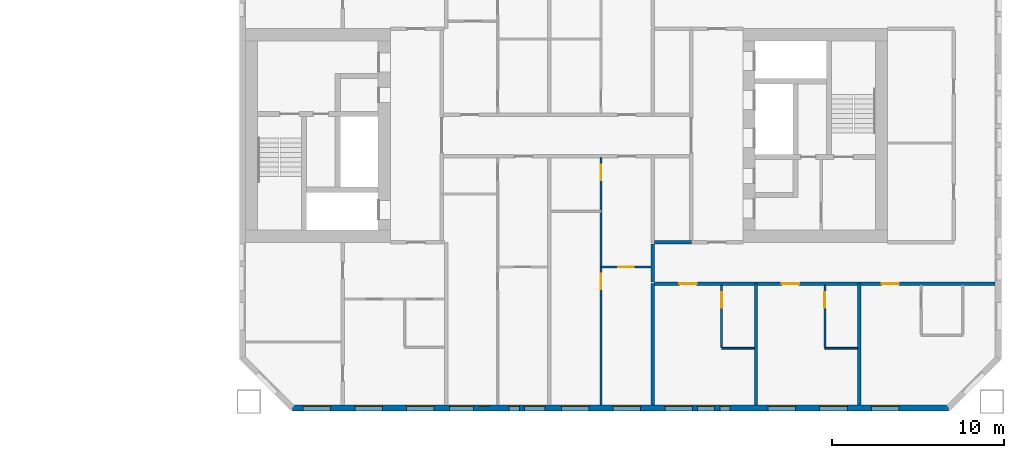
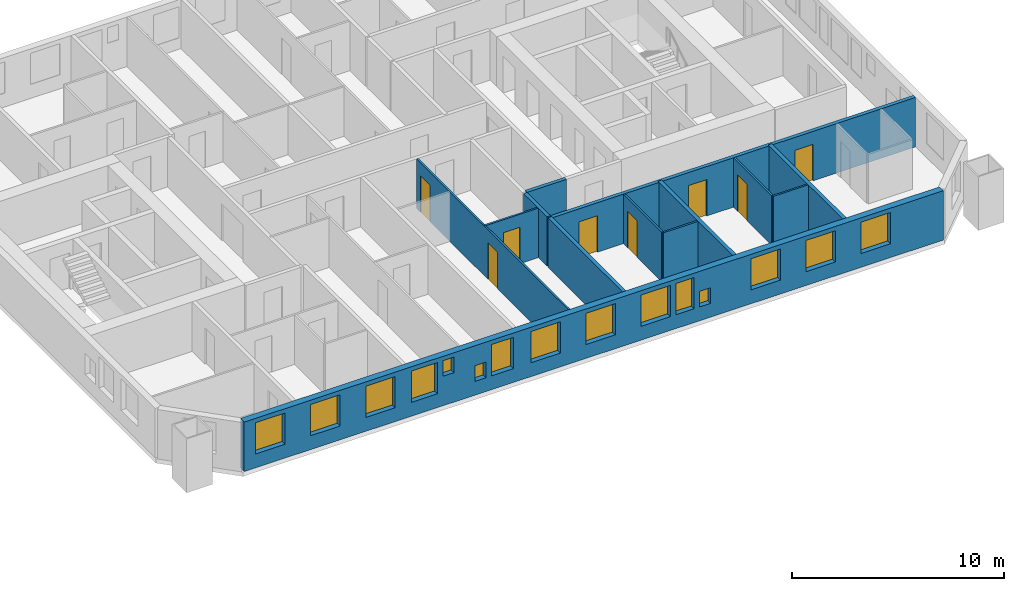
# One storey, part 11 of 17: 15 windows, 13 walls, 8 doors, 23 openings.
"""IFC4 building model written with IfcOpenShell, lengths in metres."""

from ifc_helpers import new_model, si_unit, direction, frame, frame_2d, origin, place, context, subcontext, project, spatial, rectangle, extrude, material, layer, layer_set, type_object, element, fill, save


model = new_model("IFC4")

# Units and contexts
model_context = context("Model", 3, precision=1e-05, world=origin(), true_north=direction((0.0, 1.0)))
body_context = subcontext(model_context, "Body", "Model", "MODEL_VIEW")
ifc_project = project(units=[si_unit("LENGTHUNIT", "METRE"), si_unit("AREAUNIT", "SQUARE_METRE"), si_unit("VOLUMEUNIT", "CUBIC_METRE"), si_unit("PLANEANGLEUNIT", "RADIAN"), si_unit("MASSUNIT", "GRAM", prefix="KILO")], contexts=[model_context])

# Site, building, storey
site_placement = place(None, origin())
site = spatial("IfcSite", under=ifc_project, at=site_placement, CompositionType="ELEMENT")
building_placement = place(site_placement, origin())
building = spatial("IfcBuilding", under=site, at=building_placement, Name="Tuart Gate Housing", CompositionType="ELEMENT")
storey_placement = place(building_placement, frame((0.0, 0.0, 80.89990234375)))
storey = spatial("IfcBuildingStorey", under=building, at=storey_placement, Name="L22", CompositionType="ELEMENT", Elevation=80.89990234375)

# Wall, openings, windows
ifc_material_1 = material(Name="Brick", Category="masonry")
ifc_layer_1 = layer(ifc_material_1, 0.360107421875)
ifc_layer_set_1 = layer_set([ifc_layer_1], Name="Brick pier and spandrel wall 360")
wall_type_1 = type_object("IfcWallType", Name="Brick pier and spandrel wall 360", PredefinedType="STANDARD", material=ifc_layer_set_1)
wall_1_placement = place(storey_placement, frame((134.07470703125, 54.179931640625, 0.0), z_axis=(0.0, 0.0, 1.0), x_axis=(1.0, 0.0, 0.0)))
wall_1 = element("IfcWall", 1, at=wall_1_placement, inside=storey, type_object=wall_type_1, Name="External wall B-S L22", PredefinedType="STANDARD", context=body_context, shape_type="SweptSolid", body=[
    extrude(rectangle(XDim=38.100830078125, YDim=0.360107421875, at=frame_2d((19.05029296875, 0.0))), origin(), (0.0, 0.0, 1.0), 2.85009765625),
])
opening_1_placement = place(wall_1_placement, frame((0.62548828125, 0.0, 0.800048828125)))
opening_1 = element("IfcOpeningElement", 2, at=opening_1_placement, cuts=wall_1, Name="Opening W1", PredefinedType="OPENING", context=body_context, shape_type="SweptSolid", body=[
    extrude(rectangle(XDim=1.60009765625, YDim=1.800048828125, at=frame_2d((0.800048828125, 0.89990234375))), frame((0.0, 0.18994140625, 0.0), z_axis=(0.0, -1.0, 0.0), x_axis=(1.0, 0.0, 0.0)), (0.0, 0.0, 1.0), 0.380126953125),
])
opening_2_placement = place(wall_1_placement, frame((3.62548828125, 0.0, 0.800048828125)))
opening_2 = element("IfcOpeningElement", 3, at=opening_2_placement, cuts=wall_1, Name="Opening W1", PredefinedType="OPENING", context=body_context, shape_type="SweptSolid", body=[
    extrude(rectangle(XDim=1.60009765625, YDim=1.800048828125, at=frame_2d((0.800048828125, 0.89990234375))), frame((0.0, 0.18994140625, 0.0), z_axis=(0.0, -1.0, 0.0), x_axis=(1.0, 0.0, 0.0)), (0.0, 0.0, 1.0), 0.380126953125),
])
opening_3_placement = place(wall_1_placement, frame((6.62548828125, 0.0, 0.800048828125)))
opening_3 = element("IfcOpeningElement", 4, at=opening_3_placement, cuts=wall_1, Name="Opening W1", PredefinedType="OPENING", context=body_context, shape_type="SweptSolid", body=[
    extrude(rectangle(XDim=1.60009765625, YDim=1.800048828125, at=frame_2d((0.800048828125, 0.89990234375))), frame((0.0, 0.18994140625, 0.0), z_axis=(0.0, -1.0, 0.0), x_axis=(1.0, 0.0, 0.0)), (0.0, 0.0, 1.0), 0.380126953125),
])
opening_4_placement = place(wall_1_placement, frame((9.12548828125, 0.0, 0.800048828125)))
opening_4 = element("IfcOpeningElement", 5, at=opening_4_placement, cuts=wall_1, Name="Opening W1A", PredefinedType="OPENING", context=body_context, shape_type="SweptSolid", body=[
    extrude(rectangle(XDim=1.39990234375, YDim=1.800048828125, at=frame_2d((0.699951171875, 0.89990234375))), frame((0.0, 0.18994140625, 0.0), z_axis=(0.0, -1.0, 0.0), x_axis=(1.0, 0.0, 0.0)), (0.0, 0.0, 1.0), 0.380126953125),
])
opening_5_placement = place(wall_1_placement, frame((12.575439453125, 0.0, 0.800048828125)))
opening_5 = element("IfcOpeningElement", 6, at=opening_5_placement, cuts=wall_1, Name="Opening W1W", PredefinedType="OPENING", context=body_context, shape_type="SweptSolid", body=[
    extrude(rectangle(XDim=0.60009765625, YDim=0.89990234375, at=frame_2d((0.300048828125, 0.449951171875))), frame((0.0, 0.18994140625, 0.0), z_axis=(0.0, -1.0, 0.0), x_axis=(1.0, 0.0, 0.0)), (0.0, 0.0, 1.0), 0.380126953125),
])
opening_6_placement = place(wall_1_placement, frame((15.62548828125, 0.0, 0.800048828125)))
opening_6 = element("IfcOpeningElement", 7, at=opening_6_placement, cuts=wall_1, Name="Opening W1", PredefinedType="OPENING", context=body_context, shape_type="SweptSolid", body=[
    extrude(rectangle(XDim=1.60009765625, YDim=1.800048828125, at=frame_2d((0.800048828125, 0.89990234375))), frame((0.0, 0.18994140625, 0.0), z_axis=(0.0, -1.0, 0.0), x_axis=(1.0, 0.0, 0.0)), (0.0, 0.0, 1.0), 0.380126953125),
])
opening_7_placement = place(wall_1_placement, frame((18.62548828125, 0.0, 0.800048828125)))
opening_7 = element("IfcOpeningElement", 8, at=opening_7_placement, cuts=wall_1, Name="Opening W1", PredefinedType="OPENING", context=body_context, shape_type="SweptSolid", body=[
    extrude(rectangle(XDim=1.60009765625, YDim=1.800048828125, at=frame_2d((0.800048828125, 0.89990234375))), frame((0.0, 0.18994140625, 0.0), z_axis=(0.0, -1.0, 0.0), x_axis=(1.0, 0.0, 0.0)), (0.0, 0.0, 1.0), 0.380126953125),
])
opening_8_placement = place(wall_1_placement, frame((21.62548828125, 0.0, 0.800048828125)))
opening_8 = element("IfcOpeningElement", 9, at=opening_8_placement, cuts=wall_1, Name="Opening W1", PredefinedType="OPENING", context=body_context, shape_type="SweptSolid", body=[
    extrude(rectangle(XDim=1.60009765625, YDim=1.800048828125, at=frame_2d((0.800048828125, 0.89990234375))), frame((0.0, 0.18994140625, 0.0), z_axis=(0.0, -1.0, 0.0), x_axis=(1.0, 0.0, 0.0)), (0.0, 0.0, 1.0), 0.380126953125),
])
opening_9_placement = place(wall_1_placement, frame((23.525390625, 0.0, 0.800048828125)))
opening_9 = element("IfcOpeningElement", 10, at=opening_9_placement, cuts=wall_1, Name="Opening W1C", PredefinedType="OPENING", context=body_context, shape_type="SweptSolid", body=[
    extrude(rectangle(XDim=1.0, YDim=1.800048828125, at=frame_2d((0.5, 0.89990234375))), frame((0.0, 0.18994140625, 0.0), z_axis=(0.0, -1.0, 0.0), x_axis=(1.0, 0.0, 0.0)), (0.0, 0.0, 1.0), 0.380126953125),
])
opening_10_placement = place(wall_1_placement, frame((27.62548828125, 0.0, 0.800048828125)))
opening_10 = element("IfcOpeningElement", 11, at=opening_10_placement, cuts=wall_1, Name="Opening W1", PredefinedType="OPENING", context=body_context, shape_type="SweptSolid", body=[
    extrude(rectangle(XDim=1.60009765625, YDim=1.800048828125, at=frame_2d((0.800048828125, 0.89990234375))), frame((0.0, 0.18994140625, 0.0), z_axis=(0.0, -1.0, 0.0), x_axis=(1.0, 0.0, 0.0)), (0.0, 0.0, 1.0), 0.380126953125),
])
opening_11_placement = place(wall_1_placement, frame((30.62548828125, 0.0, 0.800048828125)))
opening_11 = element("IfcOpeningElement", 12, at=opening_11_placement, cuts=wall_1, Name="Opening W1", PredefinedType="OPENING", context=body_context, shape_type="SweptSolid", body=[
    extrude(rectangle(XDim=1.60009765625, YDim=1.800048828125, at=frame_2d((0.800048828125, 0.89990234375))), frame((0.0, 0.18994140625, 0.0), z_axis=(0.0, -1.0, 0.0), x_axis=(1.0, 0.0, 0.0)), (0.0, 0.0, 1.0), 0.380126953125),
])
opening_12_placement = place(wall_1_placement, frame((33.62548828125, 0.0, 0.800048828125)))
opening_12 = element("IfcOpeningElement", 13, at=opening_12_placement, cuts=wall_1, Name="Opening W1", PredefinedType="OPENING", context=body_context, shape_type="SweptSolid", body=[
    extrude(rectangle(XDim=1.60009765625, YDim=1.800048828125, at=frame_2d((0.800048828125, 0.89990234375))), frame((0.0, 0.18994140625, 0.0), z_axis=(0.0, -1.0, 0.0), x_axis=(1.0, 0.0, 0.0)), (0.0, 0.0, 1.0), 0.380126953125),
])
opening_13_placement = place(wall_1_placement, frame((10.825439453125, 0.0, 1.699951171875)))
opening_13 = element("IfcOpeningElement", 14, at=opening_13_placement, cuts=wall_1, Name="Opening W1W", PredefinedType="OPENING", context=body_context, shape_type="SweptSolid", body=[
    extrude(rectangle(XDim=0.60009765625, YDim=0.89990234375, at=frame_2d((0.300048828125, 0.449951171875))), frame((0.0, 0.18994140625, 0.0), z_axis=(0.0, -1.0, 0.0), x_axis=(1.0, 0.0, 0.0)), (0.0, 0.0, 1.0), 0.380126953125),
])
opening_14_placement = place(wall_1_placement, frame((13.475341796875, 0.0, 0.800048828125)))
opening_14 = element("IfcOpeningElement", 15, at=opening_14_placement, cuts=wall_1, Name="Opening W1B", PredefinedType="OPENING", context=body_context, shape_type="SweptSolid", body=[
    extrude(rectangle(XDim=1.199951171875, YDim=1.800048828125, at=frame_2d((0.60009765625, 0.89990234375))), frame((0.0, 0.18994140625, 0.0), z_axis=(0.0, -1.0, 0.0), x_axis=(1.0, 0.0, 0.0)), (0.0, 0.0, 1.0), 0.380126953125),
])
opening_15_placement = place(wall_1_placement, frame((24.825439453125, 0.0, 0.800048828125)))
opening_15 = element("IfcOpeningElement", 16, at=opening_15_placement, cuts=wall_1, Name="Opening W1W", PredefinedType="OPENING", context=body_context, shape_type="SweptSolid", body=[
    extrude(rectangle(XDim=0.60009765625, YDim=0.89990234375, at=frame_2d((0.300048828125, 0.449951171875))), frame((0.0, 0.18994140625, 0.0), z_axis=(0.0, -1.0, 0.0), x_axis=(1.0, 0.0, 0.0)), (0.0, 0.0, 1.0), 0.380126953125),
])
ifc_material_2 = material(Name="Aluminium frame with clear glass", Category="aluminium")
window_type_1 = type_object("IfcWindowType", Name="Punched window 1000 x 1800", PartitioningType="SINGLE_PANEL", PredefinedType="WINDOW", material=ifc_material_2)
window_1_placement = place(opening_9_placement, origin())
window_1 = element("IfcWindow", 17, at=window_1_placement, inside=storey, type_object=window_type_1, Name="Window W1C", OverallHeight=1.800048828125, OverallWidth=1.0, PartitioningType="SINGLE_PANEL", PredefinedType="WINDOW", context=body_context, shape_type="SweptSolid", body=[
    extrude(rectangle(XDim=1.0, YDim=1.800048828125, at=frame_2d((0.5, 0.89990234375))), frame((0.0, 0.150146484375, 0.0), z_axis=(0.0, -1.0, 0.0), x_axis=(1.0, 0.0, 0.0)), (0.0, 0.0, 1.0), 0.06005859375),
])
fill(opening_9, window_1)
ifc_material_3 = material(Name="Aluminium frame with clear glass", Category="aluminium")
window_type_2 = type_object("IfcWindowType", Name="Punched window 1200 x 1800", PartitioningType="SINGLE_PANEL", PredefinedType="WINDOW", material=ifc_material_3)
window_2_placement = place(opening_14_placement, origin())
window_2 = element("IfcWindow", 18, at=window_2_placement, inside=storey, type_object=window_type_2, Name="Window W1B", OverallHeight=1.800048828125, OverallWidth=1.199951171875, PartitioningType="SINGLE_PANEL", PredefinedType="WINDOW", context=body_context, shape_type="SweptSolid", body=[
    extrude(rectangle(XDim=1.199951171875, YDim=1.800048828125, at=frame_2d((0.60009765625, 0.89990234375))), frame((0.0, 0.150146484375, 0.0), z_axis=(0.0, -1.0, 0.0), x_axis=(1.0, 0.0, 0.0)), (0.0, 0.0, 1.0), 0.06005859375),
])
fill(opening_14, window_2)
ifc_material_4 = material(Name="Aluminium frame with clear glass", Category="aluminium")
window_type_3 = type_object("IfcWindowType", Name="Punched window 1400 x 1800", PartitioningType="SINGLE_PANEL", PredefinedType="WINDOW", material=ifc_material_4)
window_3_placement = place(opening_4_placement, origin())
window_3 = element("IfcWindow", 19, at=window_3_placement, inside=storey, type_object=window_type_3, Name="Window W1A", OverallHeight=1.800048828125, OverallWidth=1.39990234375, PartitioningType="SINGLE_PANEL", PredefinedType="WINDOW", context=body_context, shape_type="SweptSolid", body=[
    extrude(rectangle(XDim=1.39990234375, YDim=1.800048828125, at=frame_2d((0.699951171875, 0.89990234375))), frame((0.0, 0.150146484375, 0.0), z_axis=(0.0, -1.0, 0.0), x_axis=(1.0, 0.0, 0.0)), (0.0, 0.0, 1.0), 0.06005859375),
])
fill(opening_4, window_3)
ifc_material_5 = material(Name="Aluminium frame with clear glass", Category="aluminium")
window_type_4 = type_object("IfcWindowType", Name="Punched window 1600 x 1800", PartitioningType="SINGLE_PANEL", PredefinedType="WINDOW", material=ifc_material_5)
window_4_placement = place(opening_1_placement, origin())
window_4 = element("IfcWindow", 20, at=window_4_placement, inside=storey, type_object=window_type_4, Name="Window W1", OverallHeight=1.800048828125, OverallWidth=1.60009765625, PartitioningType="SINGLE_PANEL", PredefinedType="WINDOW", context=body_context, shape_type="SweptSolid", body=[
    extrude(rectangle(XDim=1.60009765625, YDim=1.800048828125, at=frame_2d((0.800048828125, 0.89990234375))), frame((0.0, 0.150146484375, 0.0), z_axis=(0.0, -1.0, 0.0), x_axis=(1.0, 0.0, 0.0)), (0.0, 0.0, 1.0), 0.06005859375),
])
fill(opening_1, window_4)
window_5_placement = place(opening_2_placement, origin())
window_5 = element("IfcWindow", 21, at=window_5_placement, inside=storey, type_object=window_type_4, Name="Window W1", OverallHeight=1.800048828125, OverallWidth=1.60009765625, PartitioningType="SINGLE_PANEL", PredefinedType="WINDOW", context=body_context, shape_type="SweptSolid", body=[
    extrude(rectangle(XDim=1.60009765625, YDim=1.800048828125, at=frame_2d((0.800048828125, 0.89990234375))), frame((0.0, 0.150146484375, 0.0), z_axis=(0.0, -1.0, 0.0), x_axis=(1.0, 0.0, 0.0)), (0.0, 0.0, 1.0), 0.06005859375),
])
fill(opening_2, window_5)
window_6_placement = place(opening_3_placement, origin())
window_6 = element("IfcWindow", 22, at=window_6_placement, inside=storey, type_object=window_type_4, Name="Window W1", OverallHeight=1.800048828125, OverallWidth=1.60009765625, PartitioningType="SINGLE_PANEL", PredefinedType="WINDOW", context=body_context, shape_type="SweptSolid", body=[
    extrude(rectangle(XDim=1.60009765625, YDim=1.800048828125, at=frame_2d((0.800048828125, 0.89990234375))), frame((0.0, 0.150146484375, 0.0), z_axis=(0.0, -1.0, 0.0), x_axis=(1.0, 0.0, 0.0)), (0.0, 0.0, 1.0), 0.06005859375),
])
fill(opening_3, window_6)
window_7_placement = place(opening_6_placement, origin())
window_7 = element("IfcWindow", 23, at=window_7_placement, inside=storey, type_object=window_type_4, Name="Window W1", OverallHeight=1.800048828125, OverallWidth=1.60009765625, PartitioningType="SINGLE_PANEL", PredefinedType="WINDOW", context=body_context, shape_type="SweptSolid", body=[
    extrude(rectangle(XDim=1.60009765625, YDim=1.800048828125, at=frame_2d((0.800048828125, 0.89990234375))), frame((0.0, 0.150146484375, 0.0), z_axis=(0.0, -1.0, 0.0), x_axis=(1.0, 0.0, 0.0)), (0.0, 0.0, 1.0), 0.06005859375),
])
fill(opening_6, window_7)
window_8_placement = place(opening_7_placement, origin())
window_8 = element("IfcWindow", 24, at=window_8_placement, inside=storey, type_object=window_type_4, Name="Window W1", OverallHeight=1.800048828125, OverallWidth=1.60009765625, PartitioningType="SINGLE_PANEL", PredefinedType="WINDOW", context=body_context, shape_type="SweptSolid", body=[
    extrude(rectangle(XDim=1.60009765625, YDim=1.800048828125, at=frame_2d((0.800048828125, 0.89990234375))), frame((0.0, 0.150146484375, 0.0), z_axis=(0.0, -1.0, 0.0), x_axis=(1.0, 0.0, 0.0)), (0.0, 0.0, 1.0), 0.06005859375),
])
fill(opening_7, window_8)
window_9_placement = place(opening_8_placement, origin())
window_9 = element("IfcWindow", 25, at=window_9_placement, inside=storey, type_object=window_type_4, Name="Window W1", OverallHeight=1.800048828125, OverallWidth=1.60009765625, PartitioningType="SINGLE_PANEL", PredefinedType="WINDOW", context=body_context, shape_type="SweptSolid", body=[
    extrude(rectangle(XDim=1.60009765625, YDim=1.800048828125, at=frame_2d((0.800048828125, 0.89990234375))), frame((0.0, 0.150146484375, 0.0), z_axis=(0.0, -1.0, 0.0), x_axis=(1.0, 0.0, 0.0)), (0.0, 0.0, 1.0), 0.06005859375),
])
fill(opening_8, window_9)
window_10_placement = place(opening_10_placement, origin())
window_10 = element("IfcWindow", 26, at=window_10_placement, inside=storey, type_object=window_type_4, Name="Window W1", OverallHeight=1.800048828125, OverallWidth=1.60009765625, PartitioningType="SINGLE_PANEL", PredefinedType="WINDOW", context=body_context, shape_type="SweptSolid", body=[
    extrude(rectangle(XDim=1.60009765625, YDim=1.800048828125, at=frame_2d((0.800048828125, 0.89990234375))), frame((0.0, 0.150146484375, 0.0), z_axis=(0.0, -1.0, 0.0), x_axis=(1.0, 0.0, 0.0)), (0.0, 0.0, 1.0), 0.06005859375),
])
fill(opening_10, window_10)
window_11_placement = place(opening_11_placement, origin())
window_11 = element("IfcWindow", 27, at=window_11_placement, inside=storey, type_object=window_type_4, Name="Window W1", OverallHeight=1.800048828125, OverallWidth=1.60009765625, PartitioningType="SINGLE_PANEL", PredefinedType="WINDOW", context=body_context, shape_type="SweptSolid", body=[
    extrude(rectangle(XDim=1.60009765625, YDim=1.800048828125, at=frame_2d((0.800048828125, 0.89990234375))), frame((0.0, 0.150146484375, 0.0), z_axis=(0.0, -1.0, 0.0), x_axis=(1.0, 0.0, 0.0)), (0.0, 0.0, 1.0), 0.06005859375),
])
fill(opening_11, window_11)
window_12_placement = place(opening_12_placement, origin())
window_12 = element("IfcWindow", 28, at=window_12_placement, inside=storey, type_object=window_type_4, Name="Window W1", OverallHeight=1.800048828125, OverallWidth=1.60009765625, PartitioningType="SINGLE_PANEL", PredefinedType="WINDOW", context=body_context, shape_type="SweptSolid", body=[
    extrude(rectangle(XDim=1.60009765625, YDim=1.800048828125, at=frame_2d((0.800048828125, 0.89990234375))), frame((0.0, 0.150146484375, 0.0), z_axis=(0.0, -1.0, 0.0), x_axis=(1.0, 0.0, 0.0)), (0.0, 0.0, 1.0), 0.06005859375),
])
fill(opening_12, window_12)
ifc_material_6 = material(Name="Aluminium frame with clear glass", Category="aluminium")
window_type_5 = type_object("IfcWindowType", Name="Punched window 600 x 900", PartitioningType="SINGLE_PANEL", PredefinedType="WINDOW", material=ifc_material_6)
window_13_placement = place(opening_5_placement, origin())
window_13 = element("IfcWindow", 29, at=window_13_placement, inside=storey, type_object=window_type_5, Name="Window W1W", OverallHeight=0.89990234375, OverallWidth=0.60009765625, PartitioningType="SINGLE_PANEL", PredefinedType="WINDOW", context=body_context, shape_type="SweptSolid", body=[
    extrude(rectangle(XDim=0.60009765625, YDim=0.89990234375, at=frame_2d((0.300048828125, 0.449951171875))), frame((0.0, 0.150146484375, 0.0), z_axis=(0.0, -1.0, 0.0), x_axis=(1.0, 0.0, 0.0)), (0.0, 0.0, 1.0), 0.06005859375),
])
fill(opening_5, window_13)
window_14_placement = place(opening_13_placement, origin())
window_14 = element("IfcWindow", 30, at=window_14_placement, inside=storey, type_object=window_type_5, Name="Window W1W", OverallHeight=0.89990234375, OverallWidth=0.60009765625, PartitioningType="SINGLE_PANEL", PredefinedType="WINDOW", context=body_context, shape_type="SweptSolid", body=[
    extrude(rectangle(XDim=0.60009765625, YDim=0.89990234375, at=frame_2d((0.300048828125, 0.449951171875))), frame((0.0, 0.150146484375, 0.0), z_axis=(0.0, -1.0, 0.0), x_axis=(1.0, 0.0, 0.0)), (0.0, 0.0, 1.0), 0.06005859375),
])
fill(opening_13, window_14)
window_15_placement = place(opening_15_placement, origin())
window_15 = element("IfcWindow", 31, at=window_15_placement, inside=storey, type_object=window_type_5, Name="Window W1W", OverallHeight=0.89990234375, OverallWidth=0.60009765625, PartitioningType="SINGLE_PANEL", PredefinedType="WINDOW", context=body_context, shape_type="SweptSolid", body=[
    extrude(rectangle(XDim=0.60009765625, YDim=0.89990234375, at=frame_2d((0.300048828125, 0.449951171875))), frame((0.0, 0.150146484375, 0.0), z_axis=(0.0, -1.0, 0.0), x_axis=(1.0, 0.0, 0.0)), (0.0, 0.0, 1.0), 0.06005859375),
])
fill(opening_15, window_15)

# Wall, openings, doors
ifc_material_7 = material(Name="Concrete masonry 15 MPa", Category="masonry")
ifc_layer_2 = layer(ifc_material_7, 0.199951171875)
ifc_layer_set_2 = layer_set([ifc_layer_2], Name="Corridor wall masonry 200")
wall_type_2 = type_object("IfcWallType", Name="Corridor wall masonry 200", PredefinedType="PARTITIONING", material=ifc_layer_set_2)
wall_2_placement = place(storey_placement, frame((155.10009765625, 61.39990234375, 0.0), z_axis=(0.0, 0.0, 1.0), x_axis=(1.0, 0.0, 0.0)))
wall_2 = element("IfcWall", 32, at=wall_2_placement, inside=storey, type_object=wall_type_2, Name="Corridor wall masonry 200", PredefinedType="PARTITIONING", context=body_context, shape_type="SweptSolid", body=[
    extrude(rectangle(XDim=19.789794921875, YDim=0.199951171875, at=frame_2d((9.89501953125, 0.0))), origin(), (0.0, 0.0, 1.0), 2.85009765625),
])
opening_16_placement = place(wall_2_placement, frame((1.449951171875, 0.0, 0.0)))
opening_16 = element("IfcOpeningElement", 33, at=opening_16_placement, cuts=wall_2, Name="Opening D1056", PredefinedType="OPENING", context=body_context, shape_type="SweptSolid", body=[
    extrude(rectangle(XDim=1.0, YDim=2.10009765625, at=frame_2d((0.5, 1.050048828125))), frame((0.0, 0.10986328125, 0.0), z_axis=(0.0, -1.0, 0.0), x_axis=(1.0, 0.0, 0.0)), (0.0, 0.0, 1.0), 0.219970703125),
])
opening_17_placement = place(wall_2_placement, frame((7.39990234375, 0.0, 0.0)))
opening_17 = element("IfcOpeningElement", 34, at=opening_17_placement, cuts=wall_2, Name="Opening D1057", PredefinedType="OPENING", context=body_context, shape_type="SweptSolid", body=[
    extrude(rectangle(XDim=1.0, YDim=2.10009765625, at=frame_2d((0.5, 1.050048828125))), frame((0.0, 0.10986328125, 0.0), z_axis=(0.0, -1.0, 0.0), x_axis=(1.0, 0.0, 0.0)), (0.0, 0.0, 1.0), 0.219970703125),
])
opening_18_placement = place(wall_2_placement, frame((13.199951171875, 0.0, 0.0)))
opening_18 = element("IfcOpeningElement", 35, at=opening_18_placement, cuts=wall_2, Name="Opening D1058", PredefinedType="OPENING", context=body_context, shape_type="SweptSolid", body=[
    extrude(rectangle(XDim=1.0, YDim=2.10009765625, at=frame_2d((0.5, 1.050048828125))), frame((0.0, 0.10986328125, 0.0), z_axis=(0.0, -1.0, 0.0), x_axis=(1.0, 0.0, 0.0)), (0.0, 0.0, 1.0), 0.219970703125),
])
ifc_material_8 = material(Name="Timber door leaf in steel frame", Category="steel")
door_type_1 = type_object("IfcDoorType", Name="Flat entrance door 1000", OperationType="SINGLE_SWING_LEFT", PredefinedType="DOOR", material=ifc_material_8)
door_1_placement = place(opening_16_placement, frame((1.0, 0.0, 0.0), z_axis=(0.0, 0.0, 1.0), x_axis=(-1.0, 0.0, 0.0)))
door_1 = element("IfcDoor", 36, at=door_1_placement, inside=storey, type_object=door_type_1, Name="Flat entrance door", OperationType="SINGLE_SWING_LEFT", OverallHeight=2.10009765625, OverallWidth=1.0, PredefinedType="DOOR", context=body_context, shape_type="SweptSolid", body=[
    extrude(rectangle(XDim=1.0, YDim=2.10009765625, at=frame_2d((0.5, 1.050048828125))), frame((0.0, 0.025146484375, 0.0), z_axis=(0.0, -1.0, 0.0), x_axis=(1.0, 0.0, 0.0)), (0.0, 0.0, 1.0), 0.050048828125),
])
fill(opening_16, door_1)
ifc_material_9 = material(Name="Timber door leaf in steel frame", Category="steel")
door_type_2 = type_object("IfcDoorType", Name="Flat entrance door 1000 RH", OperationType="SINGLE_SWING_RIGHT", PredefinedType="DOOR", material=ifc_material_9)
door_2_placement = place(opening_17_placement, frame((1.0, 0.0, 0.0), z_axis=(0.0, 0.0, 1.0), x_axis=(-1.0, 0.0, 0.0)))
door_2 = element("IfcDoor", 37, at=door_2_placement, inside=storey, type_object=door_type_2, Name="Flat entrance door", OperationType="SINGLE_SWING_RIGHT", OverallHeight=2.10009765625, OverallWidth=1.0, PredefinedType="DOOR", context=body_context, shape_type="SweptSolid", body=[
    extrude(rectangle(XDim=1.0, YDim=2.10009765625, at=frame_2d((0.5, 1.050048828125))), frame((0.0, 0.025146484375, 0.0), z_axis=(0.0, -1.0, 0.0), x_axis=(1.0, 0.0, 0.0)), (0.0, 0.0, 1.0), 0.050048828125),
])
fill(opening_17, door_2)
door_3_placement = place(opening_18_placement, frame((1.0, 0.0, 0.0), z_axis=(0.0, 0.0, 1.0), x_axis=(-1.0, 0.0, 0.0)))
door_3 = element("IfcDoor", 38, at=door_3_placement, inside=storey, type_object=door_type_2, Name="Flat entrance door", OperationType="SINGLE_SWING_RIGHT", OverallHeight=2.10009765625, OverallWidth=1.0, PredefinedType="DOOR", context=body_context, shape_type="SweptSolid", body=[
    extrude(rectangle(XDim=1.0, YDim=2.10009765625, at=frame_2d((0.5, 1.050048828125))), frame((0.0, 0.025146484375, 0.0), z_axis=(0.0, -1.0, 0.0), x_axis=(1.0, 0.0, 0.0)), (0.0, 0.0, 1.0), 0.050048828125),
])
fill(opening_18, door_3)

# Walls
wall_3_placement = place(storey_placement, frame((155.10009765625, 63.800048828125, 0.0), z_axis=(0.0, 0.0, 1.0), x_axis=(1.0, 0.0, 0.0)))
element("IfcWall", 39, at=wall_3_placement, inside=storey, type_object=wall_type_2, Name="Corridor wall masonry 200", PredefinedType="PARTITIONING", context=body_context, shape_type="SweptSolid", body=[
    extrude(rectangle(XDim=2.139892578125, YDim=0.199951171875, at=frame_2d((1.06982421875, 0.0))), origin(), (0.0, 0.0, 1.0), 2.85009765625),
])
wall_4_placement = place(storey_placement, frame((155.0, 61.5, 0.0), z_axis=(0.0, 0.0, 1.0), x_axis=(0.0, 1.0, 0.0)))
element("IfcWall", 40, at=wall_4_placement, inside=storey, type_object=wall_type_2, Name="Corridor wall masonry 200", PredefinedType="PARTITIONING", context=body_context, shape_type="SweptSolid", body=[
    extrude(rectangle(XDim=2.199951171875, YDim=0.199951171875, at=frame_2d((1.10009765625, 0.0))), origin(), (0.0, 0.0, 1.0), 2.85009765625),
])
ifc_material_10 = material(Name="Gypsum board on steel studs", Category="steel")
ifc_layer_3 = layer(ifc_material_10, 0.10009765625)
ifc_layer_set_3 = layer_set([ifc_layer_3], Name="Partition 100")
wall_type_3 = type_object("IfcWallType", Name="Partition 100", PredefinedType="PARTITIONING", material=ifc_layer_set_3)
for number, where, z_axis, x_axis, name in (
    (41, (159.0, 57.64990234375, 0.0), (0.0, 0.0, 1.0), (1.0, 0.0, 0.0), "Partition 100"),
    (42, (165.0, 57.64990234375, 0.0), (0.0, 0.0, 1.0), (1.0, 0.0, 0.0), "Partition 100"),
):
    element("IfcWall", number, at=place(storey_placement, frame(where, z_axis=z_axis, x_axis=x_axis)), inside=storey, type_object=wall_type_3, Name=name, PredefinedType="PARTITIONING", context=body_context, shape_type="SweptSolid", body=[
        extrude(rectangle(XDim=1.89990234375, YDim=0.10009765625, at=frame_2d((0.949951171875, 0.0))), origin(), (0.0, 0.0, 1.0), 2.85009765625),
    ])

# Wall, opening, door
wall_5_placement = place(storey_placement, frame((152.0, 62.360107421875, 0.0), z_axis=(0.0, 0.0, 1.0), x_axis=(1.0, 0.0, 0.0)))
wall_5 = element("IfcWall", 43, at=wall_5_placement, inside=storey, type_object=wall_type_3, Name="Partition 100", PredefinedType="PARTITIONING", context=body_context, shape_type="SweptSolid", body=[
    extrude(rectangle(XDim=2.89990234375, YDim=0.10009765625, at=frame_2d((1.449951171875, 0.0))), origin(), (0.0, 0.0, 1.0), 2.85009765625),
])
opening_19_placement = place(wall_5_placement, frame((1.0, 0.0, 0.0)))
opening_19 = element("IfcOpeningElement", 44, at=opening_19_placement, cuts=wall_5, Name="Opening D1051", PredefinedType="OPENING", context=body_context, shape_type="SweptSolid", body=[
    extrude(rectangle(XDim=0.89990234375, YDim=2.10009765625, at=frame_2d((0.449951171875, 1.050048828125))), frame((0.0, 0.06005859375, 0.0), z_axis=(0.0, -1.0, 0.0), x_axis=(1.0, 0.0, 0.0)), (0.0, 0.0, 1.0), 0.1201171875),
])
ifc_material_11 = material(Name="Timber door leaf in steel frame", Category="steel")
door_type_3 = type_object("IfcDoorType", Name="Internal door 900", OperationType="SINGLE_SWING_LEFT", PredefinedType="DOOR", material=ifc_material_11)
door_4_placement = place(opening_19_placement, origin())
door_4 = element("IfcDoor", 45, at=door_4_placement, inside=storey, type_object=door_type_3, Name="Internal door", OperationType="SINGLE_SWING_LEFT", OverallHeight=2.10009765625, OverallWidth=0.89990234375, PredefinedType="DOOR", context=body_context, shape_type="SweptSolid", body=[
    extrude(rectangle(XDim=0.89990234375, YDim=2.10009765625, at=frame_2d((0.449951171875, 1.050048828125))), frame((0.0, 0.02490234375, 0.0), z_axis=(0.0, -1.0, 0.0), x_axis=(1.0, 0.0, 0.0)), (0.0, 0.0, 1.0), 0.050048828125),
])
fill(opening_19, door_4)

# Wall, openings, doors
wall_6_placement = place(storey_placement, frame((152.0, 54.360107421875, 0.0), z_axis=(0.0, 0.0, 1.0), x_axis=(0.0, 1.0, 0.0)))
wall_6 = element("IfcWall", 46, at=wall_6_placement, inside=storey, type_object=wall_type_3, Name="Partition 100", PredefinedType="PARTITIONING", context=body_context, shape_type="SweptSolid", body=[
    extrude(rectangle(XDim=14.33984375, YDim=0.10009765625, at=frame_2d((7.169921875, 0.0))), origin(), (0.0, 0.0, 1.0), 2.85009765625),
])
opening_20_placement = place(wall_6_placement, frame((6.699951171875, 0.0, 0.0)))
opening_20 = element("IfcOpeningElement", 47, at=opening_20_placement, cuts=wall_6, Name="Opening D1055", PredefinedType="OPENING", context=body_context, shape_type="SweptSolid", body=[
    extrude(rectangle(XDim=0.89990234375, YDim=2.10009765625, at=frame_2d((0.449951171875, 1.050048828125))), frame((0.0, 0.06005859375, 0.0), z_axis=(0.0, -1.0, 0.0), x_axis=(1.0, 0.0, 0.0)), (0.0, 0.0, 1.0), 0.1201171875),
])
opening_21_placement = place(wall_6_placement, frame((13.0400390625, 0.0, 0.0)))
opening_21 = element("IfcOpeningElement", 48, at=opening_21_placement, cuts=wall_6, Name="Opening D1054", PredefinedType="OPENING", context=body_context, shape_type="SweptSolid", body=[
    extrude(rectangle(XDim=0.89990234375, YDim=2.10009765625, at=frame_2d((0.449951171875, 1.050048828125))), frame((0.0, 0.06005859375, 0.0), z_axis=(0.0, -1.0, 0.0), x_axis=(1.0, 0.0, 0.0)), (0.0, 0.0, 1.0), 0.1201171875),
])
ifc_material_12 = material(Name="Timber door leaf in steel frame", Category="steel")
door_type_4 = type_object("IfcDoorType", Name="Bathroom door 900 RH", OperationType="SINGLE_SWING_RIGHT", PredefinedType="DOOR", material=ifc_material_12)
door_5_placement = place(opening_21_placement, origin())
door_5 = element("IfcDoor", 49, at=door_5_placement, inside=storey, type_object=door_type_4, Name="Bathroom door", OperationType="SINGLE_SWING_RIGHT", OverallHeight=2.10009765625, OverallWidth=0.89990234375, PredefinedType="DOOR", context=body_context, shape_type="SweptSolid", body=[
    extrude(rectangle(XDim=0.89990234375, YDim=2.10009765625, at=frame_2d((0.449951171875, 1.050048828125))), frame((0.0, 0.02490234375, 0.0), z_axis=(0.0, -1.0, 0.0), x_axis=(1.0, 0.0, 0.0)), (0.0, 0.0, 1.0), 0.050048828125),
])
fill(opening_21, door_5)
ifc_material_13 = material(Name="Timber door leaf in steel frame", Category="steel")
door_type_5 = type_object("IfcDoorType", Name="Internal door 900 RH", OperationType="SINGLE_SWING_RIGHT", PredefinedType="DOOR", material=ifc_material_13)
door_6_placement = place(opening_20_placement, origin())
door_6 = element("IfcDoor", 50, at=door_6_placement, inside=storey, type_object=door_type_5, Name="Internal door", OperationType="SINGLE_SWING_RIGHT", OverallHeight=2.10009765625, OverallWidth=0.89990234375, PredefinedType="DOOR", context=body_context, shape_type="SweptSolid", body=[
    extrude(rectangle(XDim=0.89990234375, YDim=2.10009765625, at=frame_2d((0.449951171875, 1.050048828125))), frame((0.0, 0.02490234375, 0.0), z_axis=(0.0, -1.0, 0.0), x_axis=(1.0, 0.0, 0.0)), (0.0, 0.0, 1.0), 0.050048828125),
])
fill(opening_20, door_6)

# Wall, opening, door
wall_7_placement = place(storey_placement, frame((159.0, 57.699951171875, 0.0), z_axis=(0.0, 0.0, 1.0), x_axis=(0.0, 1.0, 0.0)))
wall_7 = element("IfcWall", 51, at=wall_7_placement, inside=storey, type_object=wall_type_3, Name="Partition 100", PredefinedType="PARTITIONING", context=body_context, shape_type="SweptSolid", body=[
    extrude(rectangle(XDim=3.60009765625, YDim=0.10009765625, at=frame_2d((1.800048828125, 0.0))), origin(), (0.0, 0.0, 1.0), 2.85009765625),
])
opening_22_placement = place(wall_7_placement, frame((2.300048828125, 0.0, 0.0)))
opening_22 = element("IfcOpeningElement", 52, at=opening_22_placement, cuts=wall_7, Name="Opening D1062", PredefinedType="OPENING", context=body_context, shape_type="SweptSolid", body=[
    extrude(rectangle(XDim=0.89990234375, YDim=2.10009765625, at=frame_2d((0.449951171875, 1.050048828125))), frame((0.0, 0.06005859375, 0.0), z_axis=(0.0, -1.0, 0.0), x_axis=(1.0, 0.0, 0.0)), (0.0, 0.0, 1.0), 0.1201171875),
])
ifc_material_14 = material(Name="Timber door leaf in steel frame", Category="steel")
door_type_6 = type_object("IfcDoorType", Name="Bathroom door 900", OperationType="SINGLE_SWING_LEFT", PredefinedType="DOOR", material=ifc_material_14)
door_7_placement = place(opening_22_placement, frame((0.89990234375, 0.0, 0.0), z_axis=(0.0, 0.0, 1.0), x_axis=(-1.0, 0.0, 0.0)))
door_7 = element("IfcDoor", 53, at=door_7_placement, inside=storey, type_object=door_type_6, Name="Bathroom door", OperationType="SINGLE_SWING_LEFT", OverallHeight=2.10009765625, OverallWidth=0.89990234375, PredefinedType="DOOR", context=body_context, shape_type="SweptSolid", body=[
    extrude(rectangle(XDim=0.89990234375, YDim=2.10009765625, at=frame_2d((0.449951171875, 1.050048828125))), frame((0.0, 0.025146484375, 0.0), z_axis=(0.0, -1.0, 0.0), x_axis=(1.0, 0.0, 0.0)), (0.0, 0.0, 1.0), 0.050048828125),
])
fill(opening_22, door_7)

wall_8_placement = place(storey_placement, frame((165.0, 57.699951171875, 0.0), z_axis=(0.0, 0.0, 1.0), x_axis=(0.0, 1.0, 0.0)))
wall_8 = element("IfcWall", 54, at=wall_8_placement, inside=storey, type_object=wall_type_3, Name="Partition 100", PredefinedType="PARTITIONING", context=body_context, shape_type="SweptSolid", body=[
    extrude(rectangle(XDim=3.60009765625, YDim=0.10009765625, at=frame_2d((1.800048828125, 0.0))), origin(), (0.0, 0.0, 1.0), 2.85009765625),
])
opening_23_placement = place(wall_8_placement, frame((2.300048828125, 0.0, 0.0)))
opening_23 = element("IfcOpeningElement", 55, at=opening_23_placement, cuts=wall_8, Name="Opening D1063", PredefinedType="OPENING", context=body_context, shape_type="SweptSolid", body=[
    extrude(rectangle(XDim=0.89990234375, YDim=2.10009765625, at=frame_2d((0.449951171875, 1.050048828125))), frame((0.0, 0.06005859375, 0.0), z_axis=(0.0, -1.0, 0.0), x_axis=(1.0, 0.0, 0.0)), (0.0, 0.0, 1.0), 0.1201171875),
])
door_8_placement = place(opening_23_placement, frame((0.89990234375, 0.0, 0.0), z_axis=(0.0, 0.0, 1.0), x_axis=(-1.0, 0.0, 0.0)))
door_8 = element("IfcDoor", 56, at=door_8_placement, inside=storey, type_object=door_type_6, Name="Bathroom door", OperationType="SINGLE_SWING_LEFT", OverallHeight=2.10009765625, OverallWidth=0.89990234375, PredefinedType="DOOR", context=body_context, shape_type="SweptSolid", body=[
    extrude(rectangle(XDim=0.89990234375, YDim=2.10009765625, at=frame_2d((0.449951171875, 1.050048828125))), frame((0.0, 0.025146484375, 0.0), z_axis=(0.0, -1.0, 0.0), x_axis=(1.0, 0.0, 0.0)), (0.0, 0.0, 1.0), 0.050048828125),
])
fill(opening_23, door_8)

# Walls
ifc_material_15 = material(Name="Concrete C40", Category="concrete")
ifc_layer_4 = layer(ifc_material_15, 0.199951171875)
ifc_layer_set_4 = layer_set([ifc_layer_4], Name="Party wall concrete C40 200")
wall_type_4 = type_object("IfcWallType", Name="Party wall concrete C40 200", PredefinedType="SOLIDWALL", material=ifc_layer_set_4)
for number, where, z_axis, x_axis, name in (
    (57, (155.0, 54.360107421875, 0.0), (0.0, 0.0, 1.0), (0.0, 1.0, 0.0), "Party wall concrete C40 200"),
    (58, (161.0, 54.360107421875, 0.0), (0.0, 0.0, 1.0), (0.0, 1.0, 0.0), "Party wall concrete C40 200"),
    (59, (167.0, 54.360107421875, 0.0), (0.0, 0.0, 1.0), (0.0, 1.0, 0.0), "Party wall concrete C40 200"),
):
    element("IfcWall", number, at=place(storey_placement, frame(where, z_axis=z_axis, x_axis=x_axis)), inside=storey, type_object=wall_type_4, Name=name, PredefinedType="SOLIDWALL", context=body_context, shape_type="SweptSolid", body=[
        extrude(rectangle(XDim=7.039794921875, YDim=0.199951171875, at=frame_2d((3.52001953125, 0.0))), origin(), (0.0, 0.0, 1.0), 2.85009765625),
    ])

save(model, "model.ifc")
